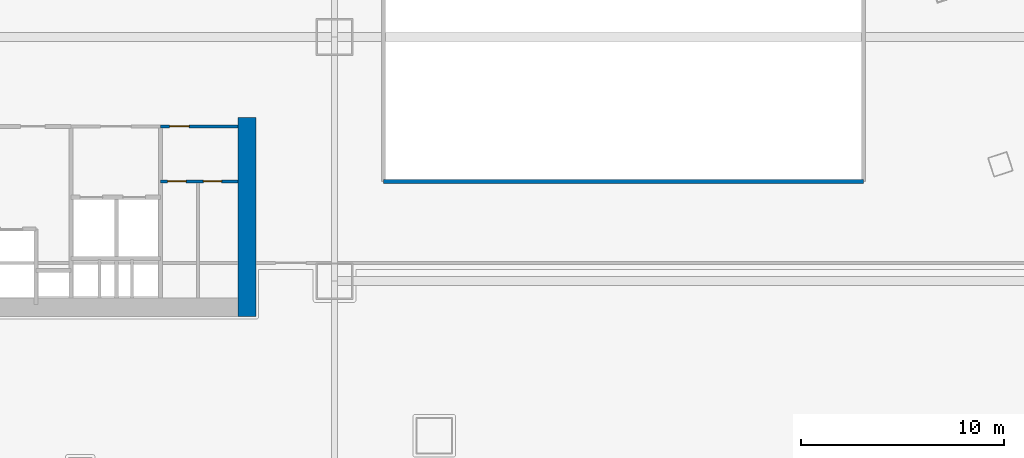
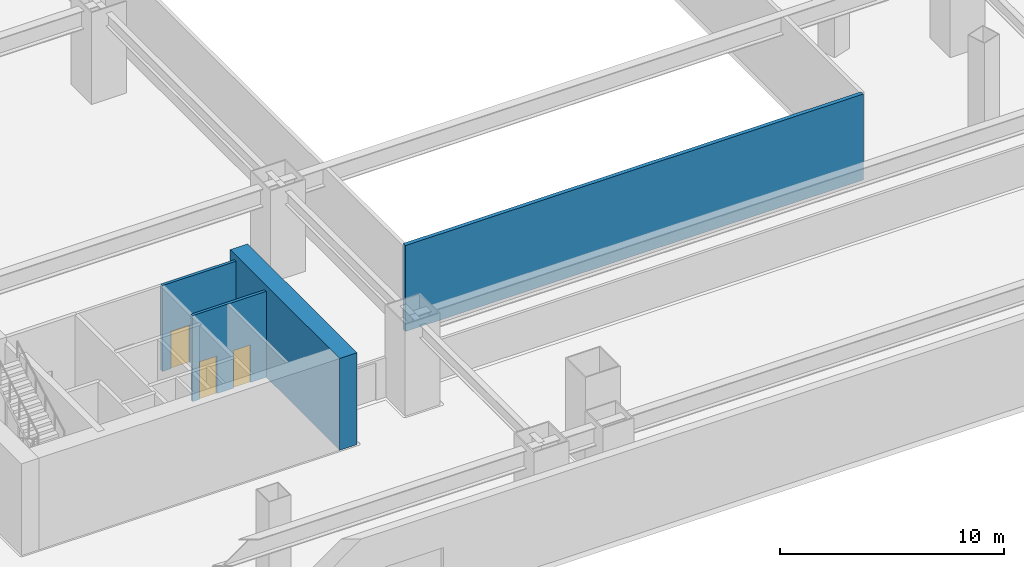
# One storey, part 24 of 35: 4 walls, 3 doors, 3 openings.
"""IFC4 building model written with IfcOpenShell, lengths in metres."""

from ifc_helpers import new_model, si_unit, direction, frame, frame_2d, origin, place, context, subcontext, project, spatial, rectangle, extrude, material, layer, layer_set, type_object, element, fill, save


model = new_model("IFC4")

# Units and contexts
model_context = context("Model", 3, precision=1e-05, world=origin(), true_north=direction((0.0, 1.0)))
body_context = subcontext(model_context, "Body", "Model", "MODEL_VIEW")
ifc_project = project(units=[si_unit("LENGTHUNIT", "METRE"), si_unit("AREAUNIT", "SQUARE_METRE"), si_unit("VOLUMEUNIT", "CUBIC_METRE"), si_unit("PLANEANGLEUNIT", "RADIAN"), si_unit("MASSUNIT", "GRAM", prefix="KILO")], contexts=[model_context])

# Site, building, storey
site_placement = place(None, origin())
site = spatial("IfcSite", under=ifc_project, at=site_placement, CompositionType="ELEMENT")
building_placement = place(site_placement, origin())
building = spatial("IfcBuilding", under=site, at=building_placement, Name="Qiaolan Cultural Towers", CompositionType="ELEMENT")
storey_placement = place(building_placement, frame((0.0, 0.0, 11.5)))
storey = spatial("IfcBuildingStorey", under=building, at=storey_placement, Name="L02", CompositionType="ELEMENT", Elevation=11.5)

# Walls
ifc_material_1 = material(Name="Concrete C60", Category="concrete")
ifc_layer_1 = layer(ifc_material_1, 0.89990234375)
ifc_layer_set_1 = layer_set([ifc_layer_1], Name="Concrete C60")
wall_type_1 = type_object("IfcWallType", Name="WL-CORE-900", PredefinedType="SHEAR", material=ifc_layer_set_1)
wall_1_placement = place(storey_placement, frame((38.199951171875, 22.050048828125, 0.0), z_axis=(0.0, 0.0, 1.0), x_axis=(0.0, -1.0, 0.0)))
element("IfcWall", 1, at=wall_1_placement, inside=storey, type_object=wall_type_1, Name="L02 T1-CS East Core Shear Wall", PredefinedType="SHEAR", context=body_context, shape_type="SweptSolid", body=[
    extrude(rectangle(XDim=9.780029296875, YDim=0.89990234375, at=frame_2d((4.89013671875, 0.0))), origin(), (0.0, 0.0, 1.0), 5.0),
])
ifc_material_2 = material(Name="Concrete C35 Fire Wall", Category="concrete")
ifc_layer_2 = layer(ifc_material_2, 0.199951171875)
ifc_layer_set_2 = layer_set([ifc_layer_2], Name="Concrete C35 Fire Wall")
wall_type_2 = type_object("IfcWallType", Name="WL-FIRE-200", PredefinedType="PARTITIONING", material=ifc_layer_set_2)
wall_2_placement = place(storey_placement, frame((44.89990234375, 18.89990234375, 0.0), z_axis=(0.0, 0.0, 1.0), x_axis=(1.0, 0.0, 0.0)))
element("IfcWall", 2, at=wall_2_placement, inside=storey, type_object=wall_type_2, Name="L02 Podium Partition L02-AUDS", PredefinedType="PARTITIONING", context=body_context, shape_type="SweptSolid", body=[
    extrude(rectangle(XDim=23.60009765625, YDim=0.199951171875, at=frame_2d((11.800048828125, 0.0))), origin(), (0.0, 0.0, 1.0), 4.68505859375),
])

# Wall, opening, door
ifc_material_3 = material(Name="Autoclaved Aerated Concrete Block B06", Category="concrete")
ifc_layer_3 = layer(ifc_material_3, 0.14990234375)
ifc_layer_set_3 = layer_set([ifc_layer_3], Name="Autoclaved Aerated Concrete Block B06")
wall_type_3 = type_object("IfcWallType", Name="WL-PART-150", PredefinedType="PARTITIONING", material=ifc_layer_set_3)
wall_3_placement = place(storey_placement, frame((33.949951171875, 21.60009765625, 0.0), z_axis=(0.0, 0.0, 1.0), x_axis=(1.0, 0.0, 0.0)))
wall_3 = element("IfcWall", 3, at=wall_3_placement, inside=storey, type_object=wall_type_3, Name="L02 T1-CS Sanitary Core Front Wall", PredefinedType="PARTITIONING", context=body_context, shape_type="SweptSolid", body=[
    extrude(rectangle(XDim=3.800048828125, YDim=0.14990234375, at=frame_2d((1.89990234375, 0.0))), origin(), (0.0, 0.0, 1.0), 4.68505859375),
])
opening_1_placement = place(wall_3_placement, frame((0.449951171875, 0.0, 0.0)))
opening_1 = element("IfcOpeningElement", 4, at=opening_1_placement, cuts=wall_3, Name="Opening ID-05", PredefinedType="OPENING", context=body_context, shape_type="SweptSolid", body=[
    extrude(rectangle(XDim=0.949951171875, YDim=2.050048828125, at=frame_2d((0.47509765625, 1.02490234375))), frame((0.0, 0.0849609375, 0.0), z_axis=(0.0, -1.0, 0.0), x_axis=(1.0, 0.0, 0.0)), (0.0, 0.0, 1.0), 0.169921875),
])
ifc_material_4 = material(Name="Fire-Rated Laminate Accessible Core Door", Category="timber")
door_type_1 = type_object("IfcDoorType", Name="DR-INT-950", OperationType="NOTDEFINED", PredefinedType="DOOR", material=ifc_material_4)
door_1_placement = place(opening_1_placement, origin())
door_1 = element("IfcDoor", 5, at=door_1_placement, inside=storey, type_object=door_type_1, Name="L02 Sanitary Vestibule Door", OperationType="SINGLE_SWING_LEFT", OverallHeight=2.050048828125, OverallWidth=0.949951171875, PredefinedType="DOOR", context=body_context, shape_type="SweptSolid", body=[
    extrude(rectangle(XDim=0.949951171875, YDim=2.050048828125, at=frame_2d((0.47509765625, 1.02490234375))), frame((0.0, 0.02490234375, 0.0), z_axis=(0.0, -1.0, 0.0), x_axis=(1.0, 0.0, 0.0)), (0.0, 0.0, 1.0), 0.050048828125),
])
fill(opening_1, door_1)

# Wall, openings, doors
wall_4_placement = place(storey_placement, frame((33.949951171875, 18.89990234375, 0.0), z_axis=(0.0, 0.0, 1.0), x_axis=(1.0, 0.0, 0.0)))
wall_4 = element("IfcWall", 6, at=wall_4_placement, inside=storey, type_object=wall_type_3, Name="L02 T1-CS Restroom Vestibule Wall", PredefinedType="PARTITIONING", context=body_context, shape_type="SweptSolid", body=[
    extrude(rectangle(XDim=3.800048828125, YDim=0.14990234375, at=frame_2d((1.89990234375, 0.0))), origin(), (0.0, 0.0, 1.0), 4.68505859375),
])
opening_2_placement = place(wall_4_placement, frame((0.35009765625, 0.0, 0.0)))
opening_2 = element("IfcOpeningElement", 7, at=opening_2_placement, cuts=wall_4, Name="Opening ID-06", PredefinedType="OPENING", context=body_context, shape_type="SweptSolid", body=[
    extrude(rectangle(XDim=0.89990234375, YDim=2.050048828125, at=frame_2d((0.449951171875, 1.02490234375))), frame((0.0, 0.0849609375, 0.0), z_axis=(0.0, -1.0, 0.0), x_axis=(1.0, 0.0, 0.0)), (0.0, 0.0, 1.0), 0.169921875),
])
opening_3_placement = place(wall_4_placement, frame((2.10009765625, 0.0, 0.0)))
opening_3 = element("IfcOpeningElement", 8, at=opening_3_placement, cuts=wall_4, Name="Opening ID-06", PredefinedType="OPENING", context=body_context, shape_type="SweptSolid", body=[
    extrude(rectangle(XDim=0.89990234375, YDim=2.050048828125, at=frame_2d((0.449951171875, 1.02490234375))), frame((0.0, 0.0849609375, 0.0), z_axis=(0.0, -1.0, 0.0), x_axis=(1.0, 0.0, 0.0)), (0.0, 0.0, 1.0), 0.169921875),
])
ifc_material_5 = material(Name="Fire-Rated Laminate Core Service Door", Category="timber")
door_type_2 = type_object("IfcDoorType", Name="DR-INT-900", OperationType="NOTDEFINED", PredefinedType="DOOR", material=ifc_material_5)
door_2_placement = place(opening_2_placement, origin())
door_2 = element("IfcDoor", 9, at=door_2_placement, inside=storey, type_object=door_type_2, Name="L02 Men Restroom Door", OperationType="SINGLE_SWING_LEFT", OverallHeight=2.050048828125, OverallWidth=0.89990234375, PredefinedType="DOOR", context=body_context, shape_type="SweptSolid", body=[
    extrude(rectangle(XDim=0.89990234375, YDim=2.050048828125, at=frame_2d((0.449951171875, 1.02490234375))), frame((0.0, 0.02490234375, 0.0), z_axis=(0.0, -1.0, 0.0), x_axis=(1.0, 0.0, 0.0)), (0.0, 0.0, 1.0), 0.050048828125),
])
fill(opening_2, door_2)
door_3_placement = place(opening_3_placement, origin())
door_3 = element("IfcDoor", 10, at=door_3_placement, inside=storey, type_object=door_type_2, Name="L02 Accessible & Women Restroom Door", OperationType="SINGLE_SWING_RIGHT", OverallHeight=2.050048828125, OverallWidth=0.89990234375, PredefinedType="DOOR", context=body_context, shape_type="SweptSolid", body=[
    extrude(rectangle(XDim=0.89990234375, YDim=2.050048828125, at=frame_2d((0.449951171875, 1.02490234375))), frame((0.0, 0.02490234375, 0.0), z_axis=(0.0, -1.0, 0.0), x_axis=(1.0, 0.0, 0.0)), (0.0, 0.0, 1.0), 0.050048828125),
])
fill(opening_3, door_3)

save(model, "model.ifc")
